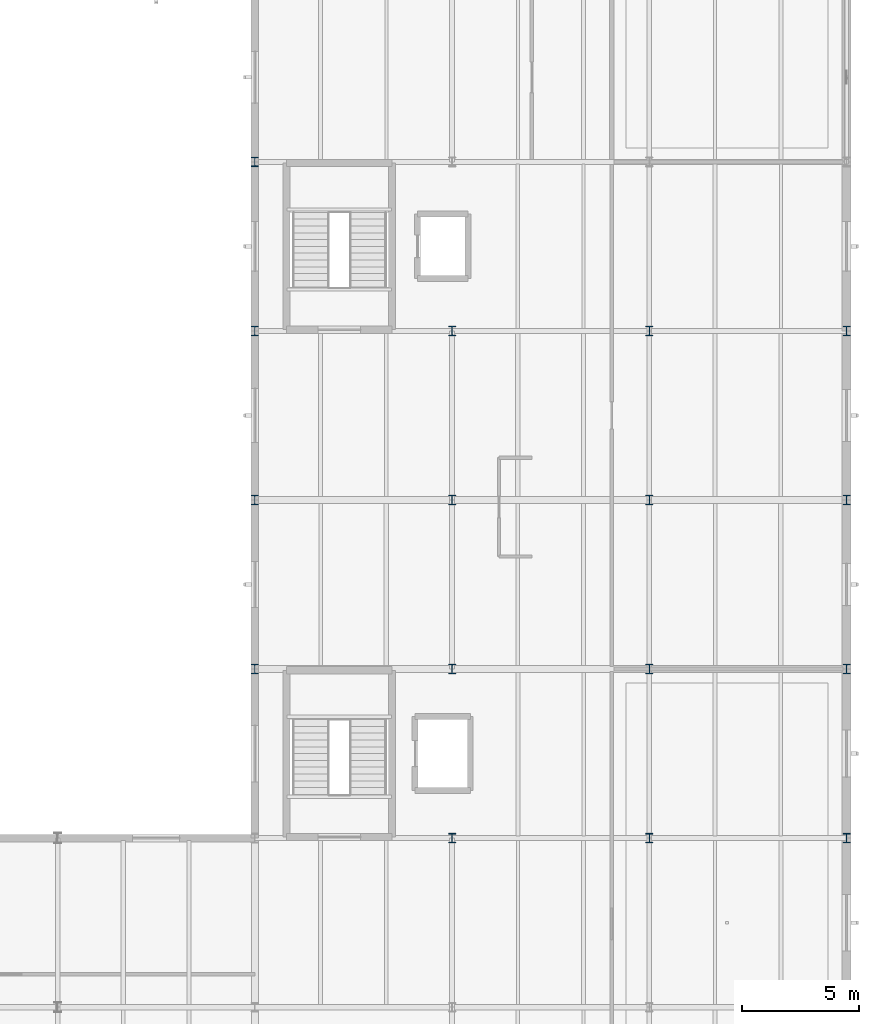
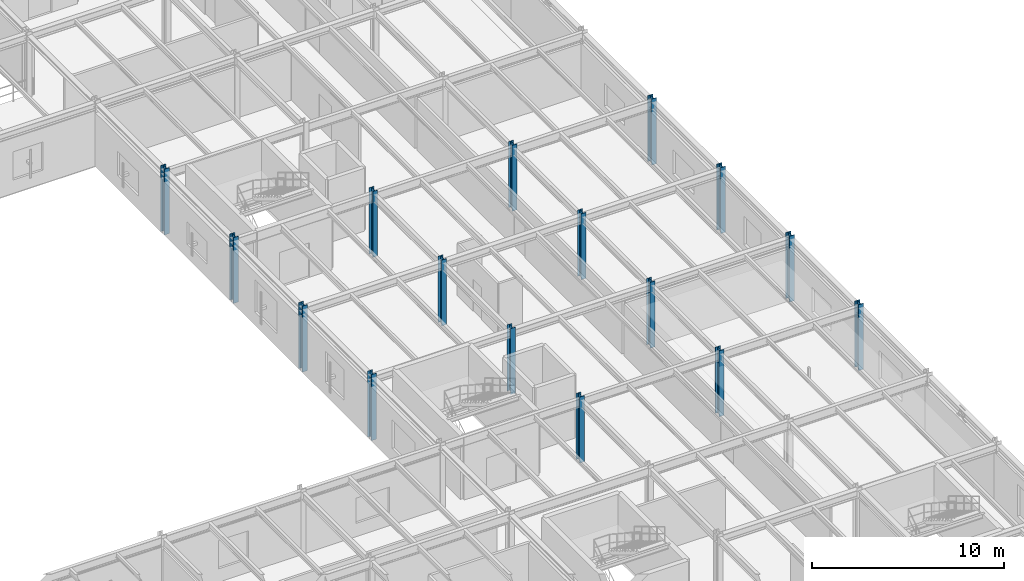
# One storey, part 16 of 109: 16 columns.
"""IFC4 building model written with IfcOpenShell, lengths in metres."""

from ifc_helpers import new_model, si_unit, derived_unit, direction, frame, origin, origin_2d, place, context, subcontext, project, spatial, i_section, extrude, material, material_profile, profile_set, type_object, element, save


model = new_model("IFC4")

# Units and contexts
model_context = context("Model", 3, precision=1e-05, world=origin(), true_north=direction((0.0, 1.0)))
body_context = subcontext(model_context, "Body", "Model", "MODEL_VIEW")
ifc_project = project(units=[si_unit("LENGTHUNIT", "METRE"), si_unit("AREAUNIT", "SQUARE_METRE"), si_unit("VOLUMEUNIT", "CUBIC_METRE"), si_unit("PLANEANGLEUNIT", "RADIAN"), si_unit("MASSUNIT", "GRAM", prefix="KILO"), derived_unit("THERMALTRANSMITTANCEUNIT", [(si_unit("MASSUNIT", "GRAM", prefix="KILO"), 1), (si_unit("TIMEUNIT", "SECOND"), -3), (si_unit("THERMODYNAMICTEMPERATUREUNIT", "KELVIN"), -1)])], contexts=[model_context])

# Site, building, storey
site_placement = place(None, origin())
site = spatial("IfcSite", under=ifc_project, at=site_placement, CompositionType="ELEMENT")
building_placement = place(site_placement, origin())
building = spatial("IfcBuilding", under=site, at=building_placement, Name="Kharveza Railside Sports Centre", CompositionType="ELEMENT")
storey_placement = place(building_placement, frame((0.0, 0.0, 4.5)))
storey = spatial("IfcBuildingStorey", under=building, at=storey_placement, Name="L01", CompositionType="ELEMENT", Elevation=4.5)

# Columns
ifc_material = material(Name="Steel S355J2", Category="steel")
ifc_material_profile = material_profile(ifc_material, i_section(OverallWidth=0.300048828125, OverallDepth=0.39990234375, WebThickness=0.013427734375, FlangeThickness=0.02392578125, FilletRadius=0.027099609375, at=origin_2d()), Name="HEB 400")
ifc_profile_set = profile_set([ifc_material_profile], Name="Steel S355J2")
column_type = type_object("IfcColumnType", Name="COL-S05", PredefinedType="COLUMN", material=ifc_profile_set)
for number, where, z_axis, x_axis, name in (
    (1, (142.800048828125, 43.199951171875, 0.0), (0.0, 0.0, 1.0), (1.0, 0.0, 0.0), "COL-G-C05-X1428-Y432-L01"),
    (2, (142.800048828125, 50.39990234375, 0.0), (0.0, 0.0, 1.0), (1.0, 0.0, 0.0), "COL-G-C05-X1428-Y504-L01"),
    (3, (142.800048828125, 57.60009765625, 0.0), (0.0, 0.0, 1.0), (1.0, 0.0, 0.0), "COL-G-C05-X1428-Y576-L01"),
    (4, (142.800048828125, 64.800048828125, 0.0), (0.0, 0.0, 1.0), (1.0, 0.0, 0.0), "COL-G-C05-X1428-Y648-L01"),
    (5, (151.199951171875, 36.0, 0.0), (0.0, 0.0, 1.0), (1.0, 0.0, 0.0), "COL-G-C05-X1512-Y360-L01"),
    (6, (151.199951171875, 43.199951171875, 0.0), (0.0, 0.0, 1.0), (1.0, 0.0, 0.0), "COL-G-C05-X1512-Y432-L01"),
    (7, (151.199951171875, 50.39990234375, 0.0), (0.0, 0.0, 1.0), (1.0, 0.0, 0.0), "COL-G-C05-X1512-Y504-L01"),
    (8, (151.199951171875, 57.60009765625, 0.0), (0.0, 0.0, 1.0), (1.0, 0.0, 0.0), "COL-G-C05-X1512-Y576-L01"),
    (9, (159.60009765625, 36.0, 0.0), (0.0, 0.0, 1.0), (1.0, 0.0, 0.0), "COL-G-C05-X1596-Y360-L01"),
    (10, (159.60009765625, 43.199951171875, 0.0), (0.0, 0.0, 1.0), (1.0, 0.0, 0.0), "COL-G-C05-X1596-Y432-L01"),
    (11, (159.60009765625, 50.39990234375, 0.0), (0.0, 0.0, 1.0), (1.0, 0.0, 0.0), "COL-G-C05-X1596-Y504-L01"),
    (12, (159.60009765625, 57.60009765625, 0.0), (0.0, 0.0, 1.0), (1.0, 0.0, 0.0), "COL-G-C05-X1596-Y576-L01"),
    (13, (168.0, 36.0, 0.0), (0.0, 0.0, 1.0), (1.0, 0.0, 0.0), "COL-G-C05-X1680-Y360-L01"),
    (14, (168.0, 43.199951171875, 0.0), (0.0, 0.0, 1.0), (1.0, 0.0, 0.0), "COL-G-C05-X1680-Y432-L01"),
    (15, (168.0, 50.39990234375, 0.0), (0.0, 0.0, 1.0), (1.0, 0.0, 0.0), "COL-G-C05-X1680-Y504-L01"),
    (16, (168.0, 57.60009765625, 0.0), (0.0, 0.0, 1.0), (1.0, 0.0, 0.0), "COL-G-C05-X1680-Y576-L01"),
):
    element("IfcColumn", number, at=place(storey_placement, frame(where, z_axis=z_axis, x_axis=x_axis)), inside=storey, type_object=column_type, Name=name, PredefinedType="COLUMN", context=body_context, shape_type="SweptSolid", body=[
        extrude(i_section(OverallWidth=0.300048828125, OverallDepth=0.39990234375, WebThickness=0.013427734375, FlangeThickness=0.02392578125, FilletRadius=0.027099609375, at=origin_2d()), origin(), (0.0, 0.0, 1.0), 4.199951171875),
    ])

save(model, "model.ifc")
